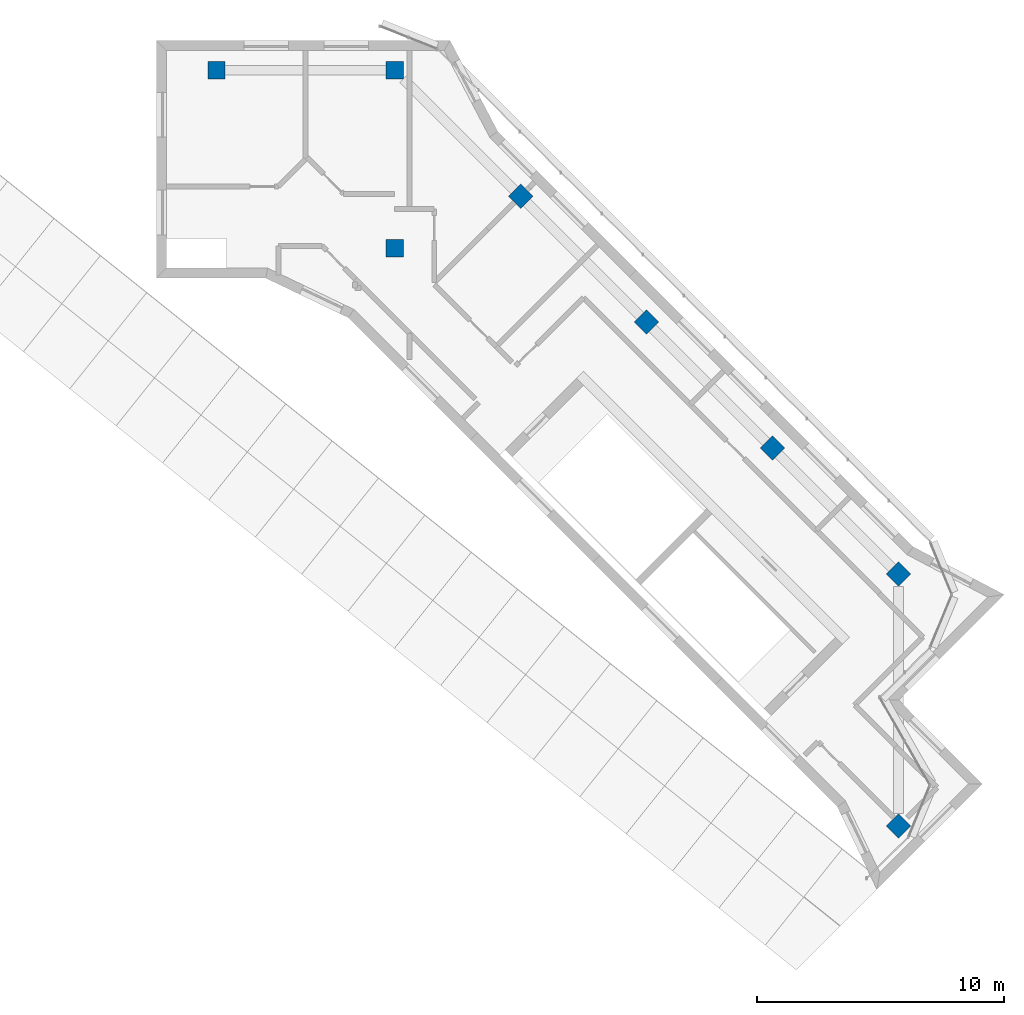
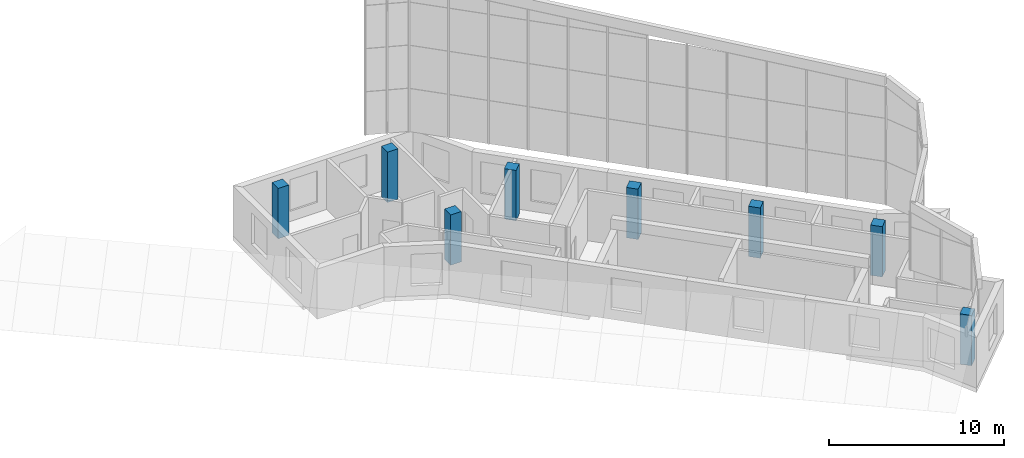
# One storey, part 1 of 9: 8 columns.
"""IFC4 building model written with IfcOpenShell, lengths in metres."""

from ifc_helpers import new_model, si_unit, direction, frame, origin, origin_2d, place, context, subcontext, project, spatial, rectangle, extrude, material, material_profile, profile_set, type_object, element, save


model = new_model("IFC4")

# Units and contexts
model_context = context("Model", 3, precision=1e-05, world=origin(), true_north=direction((0.0, 1.0)))
body_context = subcontext(model_context, "Body", "Model", "MODEL_VIEW")
ifc_project = project(units=[si_unit("LENGTHUNIT", "METRE"), si_unit("AREAUNIT", "SQUARE_METRE"), si_unit("VOLUMEUNIT", "CUBIC_METRE"), si_unit("PLANEANGLEUNIT", "RADIAN"), si_unit("MASSUNIT", "GRAM", prefix="KILO")], contexts=[model_context])

# Site, building, storey
site_placement = place(None, origin())
site = spatial("IfcSite", under=ifc_project, at=site_placement, CompositionType="ELEMENT")
building_placement = place(site_placement, origin())
building = spatial("IfcBuilding", under=site, at=building_placement, Name="Windrow Commons", CompositionType="ELEMENT")
storey_placement = place(building_placement, frame((0.0, 0.0, 309.6)))
storey = spatial("IfcBuildingStorey", under=building, at=storey_placement, Name="L84", CompositionType="ELEMENT", Elevation=309.6)

# Columns
ifc_material = material(Name="Concrete C40/50", Category="concrete")
ifc_material_profile = material_profile(ifc_material, rectangle(XDim=0.7, YDim=0.7, at=origin_2d()))
ifc_profile_set = profile_set([ifc_material_profile], Name="Concrete C40/50")
column_type = type_object("IfcColumnType", Name="RC COLUMN 700x700 C40/50", PredefinedType="COLUMN", material=ifc_profile_set)
for number, where, z_axis, x_axis, name in (
    (1, (72.0, 72.0, 0.0), (0.0, 0.0, 1.0), (1.0, 0.0, 0.0), "C-C-11J"),
    (2, (79.2, 64.8, 0.0), (0.0, 0.0, 1.0), (1.0, 0.0, 0.0), "C-C-12I"),
    (3, (79.2, 72.0, 0.0), (0.0, 0.0, 1.0), (1.0, 0.0, 0.0), "C-C-12J"),
    (4, (84.2912, 66.9088, 0.0), (0.0, 0.0, 1.0), (0.7071067812, -0.7071067812, 0.0), "C-C-P2Q"),
    (5, (89.3823, 61.8177, 0.0), (0.0, 0.0, 1.0), (0.7071067812, -0.7071067812, 0.0), "C-C-P3Q"),
    (6, (94.4735, 56.7265, 0.0), (0.0, 0.0, 1.0), (0.7071067812, -0.7071067812, 0.0), "C-C-P4Q"),
    (7, (99.5647, 51.6353, 0.0), (0.0, 0.0, 1.0), (0.7071067812, -0.7071067812, 0.0), "C-C-P5Q"),
    (8, (99.5647, 41.453, 0.0), (0.0, 0.0, 1.0), (0.7071067812, -0.7071067812, 0.0), "C-C-P6R"),
):
    element("IfcColumn", number, at=place(storey_placement, frame(where, z_axis=z_axis, x_axis=x_axis)), inside=storey, type_object=column_type, Name=name, PredefinedType="COLUMN", context=body_context, shape_type="SweptSolid", body=[
        extrude(rectangle(XDim=0.7, YDim=0.7, at=origin_2d()), origin(), (0.0, 0.0, 1.0), 3.5),
    ])

save(model, "model.ifc")
